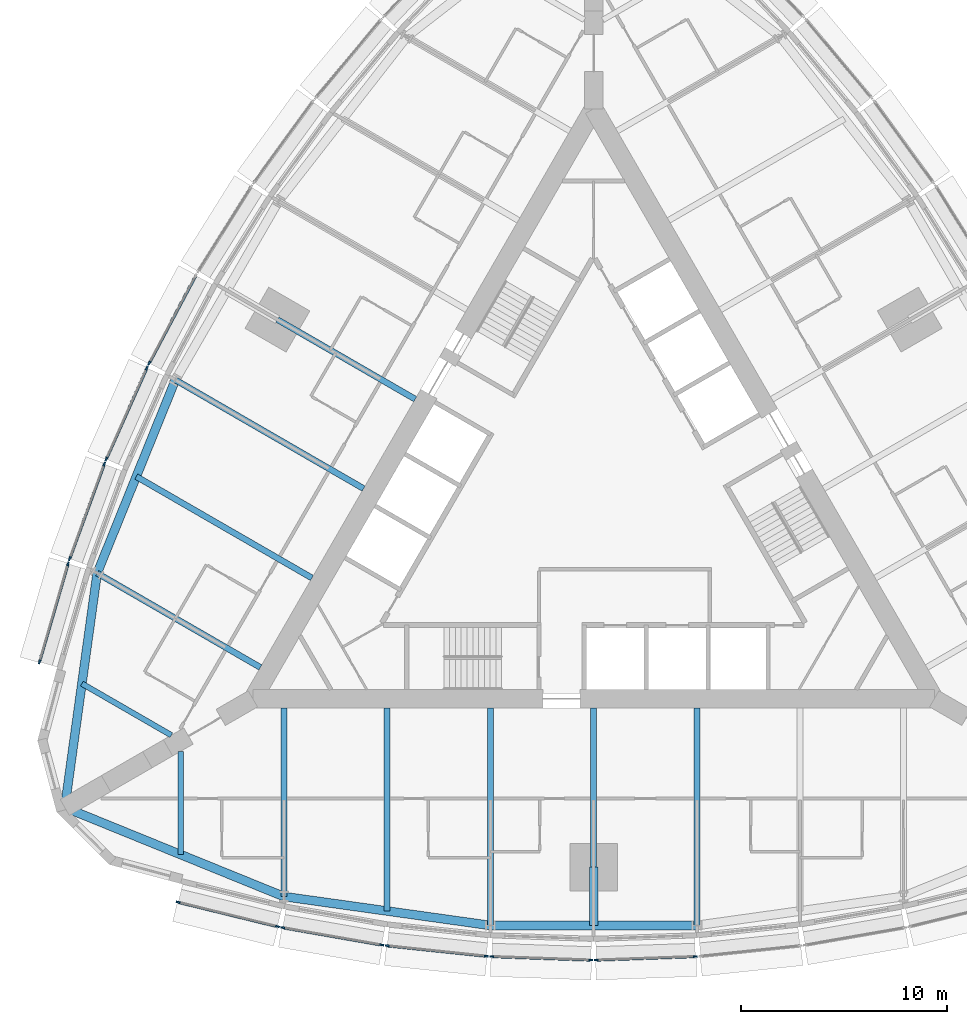
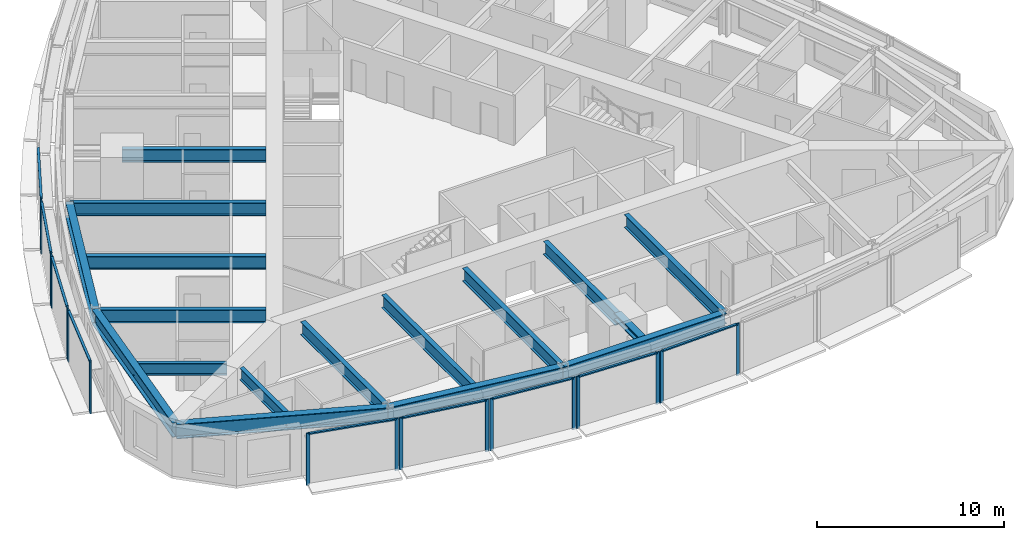
# One storey, part 2 of 14: 26 members, 17 beams, 9 elements without a shape of their own.
"""IFC4 building model written with IfcOpenShell, lengths in metres."""

from ifc_helpers import new_model, si_unit, direction, frame, origin, origin_2d, place, context, subcontext, project, spatial, rectangle, i_section, extrude, material, material_profile, profile_set, type_object, element, aggregate, save


model = new_model("IFC4")

# Units and contexts
model_context = context("Model", 3, precision=1e-05, world=origin(), true_north=direction((0.0, 1.0)))
body_context = subcontext(model_context, "Body", "Model", "MODEL_VIEW")
ifc_project = project(units=[si_unit("LENGTHUNIT", "METRE"), si_unit("AREAUNIT", "SQUARE_METRE"), si_unit("VOLUMEUNIT", "CUBIC_METRE"), si_unit("PLANEANGLEUNIT", "RADIAN"), si_unit("MASSUNIT", "GRAM", prefix="KILO")], contexts=[model_context])

# Site, building, storey
site_placement = place(None, origin())
site = spatial("IfcSite", under=ifc_project, at=site_placement, CompositionType="ELEMENT")
building_placement = place(site_placement, origin())
building = spatial("IfcBuilding", under=site, at=building_placement, Name="Trikona Tower", CompositionType="ELEMENT")
storey_placement = place(building_placement, frame((0.0, 0.0, 124.89990234375)))
storey = spatial("IfcBuildingStorey", under=building, at=storey_placement, Name="L32", CompositionType="ELEMENT", Elevation=124.89990234375)

# Curtain wall, members
ifc_material_1 = material(Name="Aluminium curtain wall system", Category="aluminium")
curtain_wall_type = type_object("IfcCurtainWallType", Name="Curtain wall DS2", PredefinedType="NOTDEFINED", material=ifc_material_1)
curtain_wall_1_placement = place(storey_placement, origin())
curtain_wall_1 = element("IfcCurtainWall", 1, at=curtain_wall_1_placement, inside=storey, type_object=curtain_wall_type, Name="Curtain wall DS2 L32", PredefinedType="NOTDEFINED")
ifc_material_2 = material(Name="Aluminium mullion, pale anodised", Category="aluminium")
ifc_material_profile_1 = material_profile(ifc_material_2, rectangle(XDim=0.080078125, YDim=0.199951171875, at=origin_2d()), Name="MUL-DS2")
ifc_profile_set_1 = profile_set([ifc_material_profile_1], Name="Aluminium mullion, pale anodised")
member_type_1 = type_object("IfcMemberType", Name="Mullion DS2 80x200", PredefinedType="MULLION", material=ifc_profile_set_1)
member_1_placement = place(storey_placement, frame((-20.116943359375, -19.373046875, 0.0), z_axis=(0.0, 0.0, 1.0), x_axis=(0.237970204243, 0.971272455026, 0.0)))
member_1 = element("IfcMember", 2, at=member_1_placement, type_object=member_type_1, Name="CW-DS2 mullion 1", PredefinedType="MULLION", context=body_context, shape_type="SweptSolid", body=[
    extrude(rectangle(XDim=0.080078125, YDim=0.199951171875, at=origin_2d()), origin(), (0.0, 0.0, 1.0), 3.400146484375),
])
member_2_placement = place(storey_placement, frame((-15.311279296875, -20.550537109375, 0.0), z_axis=(0.0, 0.0, 1.0), x_axis=(0.237970204243, 0.971272455026, 0.0)))
member_2 = element("IfcMember", 3, at=member_2_placement, type_object=member_type_1, Name="CW-DS2 mullion 2", PredefinedType="MULLION", context=body_context, shape_type="SweptSolid", body=[
    extrude(rectangle(XDim=0.080078125, YDim=0.199951171875, at=origin_2d()), origin(), (0.0, 0.0, 1.0), 3.400146484375),
])

curtain_wall_2_placement = place(storey_placement, origin())
curtain_wall_2 = element("IfcCurtainWall", 4, at=curtain_wall_2_placement, inside=storey, type_object=curtain_wall_type, Name="Curtain wall DS2 L32", PredefinedType="NOTDEFINED")
member_3_placement = place(storey_placement, frame((-15.056640625, -20.60400390625, 0.0), z_axis=(0.0, 0.0, 1.0), x_axis=(0.17237739505, 0.985030981074, 0.0)))
member_3 = element("IfcMember", 5, at=member_3_placement, type_object=member_type_1, Name="CW-DS2 mullion 1", PredefinedType="MULLION", context=body_context, shape_type="SweptSolid", body=[
    extrude(rectangle(XDim=0.080078125, YDim=0.199951171875, at=origin_2d()), origin(), (0.0, 0.0, 1.0), 3.400146484375),
])
member_4_placement = place(storey_placement, frame((-10.253662109375, -21.444580078125, 0.0), z_axis=(0.0, 0.0, 1.0), x_axis=(0.17237739505, 0.985030981074, 0.0)))
member_4 = element("IfcMember", 6, at=member_4_placement, type_object=member_type_1, Name="CW-DS2 mullion 2", PredefinedType="MULLION", context=body_context, shape_type="SweptSolid", body=[
    extrude(rectangle(XDim=0.080078125, YDim=0.199951171875, at=origin_2d()), origin(), (0.0, 0.0, 1.0), 3.400146484375),
])

curtain_wall_3_placement = place(storey_placement, origin())
curtain_wall_3 = element("IfcCurtainWall", 7, at=curtain_wall_3_placement, inside=storey, type_object=curtain_wall_type, Name="Curtain wall DS2 L32", PredefinedType="NOTDEFINED")
member_5_placement = place(storey_placement, frame((-9.99462890625, -21.480712890625, 0.0), z_axis=(0.0, 0.0, 1.0), x_axis=(0.104433387357, 0.994531883654, 0.0)))
member_5 = element("IfcMember", 8, at=member_5_placement, type_object=member_type_1, Name="CW-DS2 mullion 1", PredefinedType="MULLION", context=body_context, shape_type="SweptSolid", body=[
    extrude(rectangle(XDim=0.080078125, YDim=0.199951171875, at=origin_2d()), origin(), (0.0, 0.0, 1.0), 3.400146484375),
])
member_6_placement = place(storey_placement, frame((-5.193359375, -21.98486328125, 0.0), z_axis=(0.0, 0.0, 1.0), x_axis=(0.104433387357, 0.994531883654, 0.0)))
member_6 = element("IfcMember", 9, at=member_6_placement, type_object=member_type_1, Name="CW-DS2 mullion 2", PredefinedType="MULLION", context=body_context, shape_type="SweptSolid", body=[
    extrude(rectangle(XDim=0.080078125, YDim=0.199951171875, at=origin_2d()), origin(), (0.0, 0.0, 1.0), 3.400146484375),
])

curtain_wall_4_placement = place(storey_placement, origin())
curtain_wall_4 = element("IfcCurtainWall", 10, at=curtain_wall_4_placement, inside=storey, type_object=curtain_wall_type, Name="Curtain wall DS2 L32", PredefinedType="NOTDEFINED")
member_7_placement = place(storey_placement, frame((-4.931640625, -22.003173828125, 0.0), z_axis=(0.0, 0.0, 1.0), x_axis=(0.034998320052, 0.99938737114, 0.0)))
member_7 = element("IfcMember", 11, at=member_7_placement, type_object=member_type_1, Name="CW-DS2 mullion 1", PredefinedType="MULLION", context=body_context, shape_type="SweptSolid", body=[
    extrude(rectangle(XDim=0.080078125, YDim=0.199951171875, at=origin_2d()), origin(), (0.0, 0.0, 1.0), 3.400146484375),
])
member_8_placement = place(storey_placement, frame((-0.13134765625, -22.171142578125, 0.0), z_axis=(0.0, 0.0, 1.0), x_axis=(0.034998320052, 0.99938737114, 0.0)))
member_8 = element("IfcMember", 12, at=member_8_placement, type_object=member_type_1, Name="CW-DS2 mullion 2", PredefinedType="MULLION", context=body_context, shape_type="SweptSolid", body=[
    extrude(rectangle(XDim=0.080078125, YDim=0.199951171875, at=origin_2d()), origin(), (0.0, 0.0, 1.0), 3.400146484375),
])

curtain_wall_5_placement = place(storey_placement, origin())
curtain_wall_5 = element("IfcCurtainWall", 13, at=curtain_wall_5_placement, inside=storey, type_object=curtain_wall_type, Name="Curtain wall DS2 L32", PredefinedType="NOTDEFINED")
member_9_placement = place(storey_placement, frame((0.13134765625, -22.171142578125, 0.0), z_axis=(0.0, 0.0, 1.0), x_axis=(-0.034998320052, 0.99938737114, 0.0)))
member_9 = element("IfcMember", 14, at=member_9_placement, type_object=member_type_1, Name="CW-DS2 mullion 1", PredefinedType="MULLION", context=body_context, shape_type="SweptSolid", body=[
    extrude(rectangle(XDim=0.080078125, YDim=0.199951171875, at=origin_2d()), origin(), (0.0, 0.0, 1.0), 3.400146484375),
])
member_10_placement = place(storey_placement, frame((4.931640625, -22.003173828125, 0.0), z_axis=(0.0, 0.0, 1.0), x_axis=(-0.034998320052, 0.99938737114, 0.0)))
member_10 = element("IfcMember", 15, at=member_10_placement, type_object=member_type_1, Name="CW-DS2 mullion 2", PredefinedType="MULLION", context=body_context, shape_type="SweptSolid", body=[
    extrude(rectangle(XDim=0.080078125, YDim=0.199951171875, at=origin_2d()), origin(), (0.0, 0.0, 1.0), 3.400146484375),
])

# Curtain wall, member
curtain_wall_6_placement = place(storey_placement, origin())
curtain_wall_6 = element("IfcCurtainWall", 16, at=curtain_wall_6_placement, inside=storey, type_object=curtain_wall_type, Name="Curtain wall DS2 L32", PredefinedType="NOTDEFINED")
member_11_placement = place(storey_placement, frame((-21.52099609375, 6.730712890625, 0.0), z_axis=(0.0, 0.0, 1.0), x_axis=(0.882996107343, -0.469380308937, 0.0)))
member_11 = element("IfcMember", 17, at=member_11_placement, type_object=member_type_1, Name="CW-DS2 mullion 2", PredefinedType="MULLION", context=body_context, shape_type="SweptSolid", body=[
    extrude(rectangle(XDim=0.080078125, YDim=0.199951171875, at=origin_2d()), origin(), (0.0, 0.0, 1.0), 3.400146484375),
])

# Curtain wall, members
curtain_wall_7_placement = place(storey_placement, origin())
curtain_wall_7 = element("IfcCurtainWall", 18, at=curtain_wall_7_placement, inside=storey, type_object=curtain_wall_type, Name="Curtain wall DS2 L32", PredefinedType="NOTDEFINED")
member_12_placement = place(storey_placement, frame((-21.63623046875, 6.494873046875, 0.0), z_axis=(0.0, 0.0, 1.0), x_axis=(0.913501208767, -0.406836013132, 0.0)))
member_12 = element("IfcMember", 19, at=member_12_placement, type_object=member_type_1, Name="CW-DS2 mullion 1", PredefinedType="MULLION", context=body_context, shape_type="SweptSolid", body=[
    extrude(rectangle(XDim=0.080078125, YDim=0.199951171875, at=origin_2d()), origin(), (0.0, 0.0, 1.0), 3.400146484375),
])
member_13_placement = place(storey_placement, frame((-23.60009765625, 2.0849609375, 0.0), z_axis=(0.0, 0.0, 1.0), x_axis=(0.913501208767, -0.406836013132, 0.0)))
member_13 = element("IfcMember", 20, at=member_13_placement, type_object=member_type_1, Name="CW-DS2 mullion 2", PredefinedType="MULLION", context=body_context, shape_type="SweptSolid", body=[
    extrude(rectangle(XDim=0.080078125, YDim=0.199951171875, at=origin_2d()), origin(), (0.0, 0.0, 1.0), 3.400146484375),
])

curtain_wall_8_placement = place(storey_placement, origin())
curtain_wall_8 = element("IfcCurtainWall", 21, at=curtain_wall_8_placement, inside=storey, type_object=curtain_wall_type, Name="Curtain wall DS2 L32", PredefinedType="NOTDEFINED")
member_14_placement = place(storey_placement, frame((-23.6982421875, 1.84228515625, 0.0), z_axis=(0.0, 0.0, 1.0), x_axis=(0.939253790978, -0.343223420143, 0.0)))
member_14 = element("IfcMember", 22, at=member_14_placement, type_object=member_type_1, Name="CW-DS2 mullion 1", PredefinedType="MULLION", context=body_context, shape_type="SweptSolid", body=[
    extrude(rectangle(XDim=0.080078125, YDim=0.199951171875, at=origin_2d()), origin(), (0.0, 0.0, 1.0), 3.400146484375),
])
member_15_placement = place(storey_placement, frame((-25.371826171875, -2.737548828125, 0.0), z_axis=(0.0, 0.0, 1.0), x_axis=(0.939253790978, -0.343223420143, 0.0)))
member_15 = element("IfcMember", 23, at=member_15_placement, type_object=member_type_1, Name="CW-DS2 mullion 2", PredefinedType="MULLION", context=body_context, shape_type="SweptSolid", body=[
    extrude(rectangle(XDim=0.080078125, YDim=0.199951171875, at=origin_2d()), origin(), (0.0, 0.0, 1.0), 3.400146484375),
])

curtain_wall_9_placement = place(storey_placement, origin())
curtain_wall_9 = element("IfcCurtainWall", 24, at=curtain_wall_9_placement, inside=storey, type_object=curtain_wall_type, Name="Curtain wall DS2 L32", PredefinedType="NOTDEFINED")
member_16_placement = place(storey_placement, frame((-25.452880859375, -2.984619140625, 0.0), z_axis=(0.0, 0.0, 1.0), x_axis=(0.96013310152, -0.279543247757, 0.0)))
member_16 = element("IfcMember", 25, at=member_16_placement, type_object=member_type_1, Name="CW-DS2 mullion 1", PredefinedType="MULLION", context=body_context, shape_type="SweptSolid", body=[
    extrude(rectangle(XDim=0.080078125, YDim=0.199951171875, at=origin_2d()), origin(), (0.0, 0.0, 1.0), 3.400146484375),
])
member_17_placement = place(storey_placement, frame((-26.836181640625, -7.7353515625, 0.0), z_axis=(0.0, 0.0, 1.0), x_axis=(0.96013310152, -0.279543247757, 0.0)))
member_17 = element("IfcMember", 26, at=member_17_placement, type_object=member_type_1, Name="CW-DS2 mullion 2", PredefinedType="MULLION", context=body_context, shape_type="SweptSolid", body=[
    extrude(rectangle(XDim=0.080078125, YDim=0.199951171875, at=origin_2d()), origin(), (0.0, 0.0, 1.0), 3.400146484375),
])

# Beams
ifc_material_3 = material(Name="Steel ASTM A992 Grade 50", Category="steel")
ifc_material_profile_2 = material_profile(ifc_material_3, i_section(OverallWidth=0.419189453125, OverallDepth=0.45458984375, WebThickness=0.042236328125, FlangeThickness=0.067626953125, at=origin_2d()), Name="W14X370")
ifc_profile_set_2 = profile_set([ifc_material_profile_2], Name="Steel ASTM A992 Grade 50")
beam_type_1 = type_object("IfcBeamType", Name="Steel beam W14x370 (apex bracket)", PredefinedType="BEAM", material=ifc_profile_set_2)
beam_1_placement = place(storey_placement, frame((0.0, -17.680419921875, 3.0078125), z_axis=(0.0, -1.0, 0.0), x_axis=(1.0, 0.0, 0.0)))
element("IfcBeam", 27, at=beam_1_placement, inside=storey, type_object=beam_type_1, Name="Cantilever bracket L33 F1", PredefinedType="BEAM", context=body_context, shape_type="SweptSolid", body=[
    extrude(i_section(OverallWidth=0.419189453125, OverallDepth=0.45458984375, WebThickness=0.042236328125, FlangeThickness=0.067626953125, at=origin_2d()), origin(), (0.0, 0.0, 1.0), 2.81982421875),
])
ifc_material_4 = material(Name="Steel ASTM A992 Grade 50", Category="steel")
ifc_material_profile_3 = material_profile(ifc_material_4, i_section(OverallWidth=0.2666015625, OverallDepth=0.76953125, WebThickness=0.015625, FlangeThickness=0.025390625, at=origin_2d()), Name="W30X132")
ifc_profile_set_3 = profile_set([ifc_material_profile_3], Name="Steel ASTM A992 Grade 50")
beam_type_2 = type_object("IfcBeamType", Name="Steel beam W30x132 (wedge)", PredefinedType="BEAM", material=ifc_profile_set_3)
beam_2_placement = place(storey_placement, frame((-20.0, -12.066650390625, 2.850341796875), z_axis=(0.0, -1.0, 0.0), x_axis=(1.0, 0.0, 0.0)))
element("IfcBeam", 28, at=beam_2_placement, inside=storey, type_object=beam_type_2, Name="Floor beam L33 F1 u-20", PredefinedType="BEAM", context=body_context, shape_type="SweptSolid", body=[
    extrude(i_section(OverallWidth=0.2666015625, OverallDepth=0.76953125, WebThickness=0.015625, FlangeThickness=0.025390625, at=origin_2d()), origin(), (0.0, 0.0, 1.0), 5.00048828125),
])
beam_3_placement = place(storey_placement, frame((-20.449951171875, -11.287109375, 2.850341796875), z_axis=(-0.866038434829, 0.49997742889, 0.0), x_axis=(-0.49997742889, -0.866038434829, 0.0)))
element("IfcBeam", 29, at=beam_3_placement, inside=storey, type_object=beam_type_2, Name="Floor beam L33 F3 u20", PredefinedType="BEAM", context=body_context, shape_type="SweptSolid", body=[
    extrude(i_section(OverallWidth=0.2666015625, OverallDepth=0.76953125, WebThickness=0.015625, FlangeThickness=0.025390625, at=origin_2d()), origin(), (0.0, 0.0, 1.0), 5.000732421875),
])
ifc_material_5 = material(Name="Steel ASTM A992 Grade 50", Category="steel")
ifc_material_profile_4 = material_profile(ifc_material_5, i_section(OverallWidth=0.2919921875, OverallDepth=0.845703125, WebThickness=0.015380859375, FlangeThickness=0.0244140625, at=origin_2d()), Name="W33X141")
ifc_profile_set_4 = profile_set([ifc_material_profile_4], Name="Steel ASTM A992 Grade 50")
beam_type_3 = type_object("IfcBeamType", Name="Steel beam W33x141 (radial typ)", PredefinedType="BEAM", material=ifc_profile_set_4)
beam_4_placement = place(storey_placement, frame((-15.0, -9.976318359375, 2.812255859375), z_axis=(0.0, -1.0, 0.0), x_axis=(1.0, 0.0, 0.0)))
element("IfcBeam", 30, at=beam_4_placement, inside=storey, type_object=beam_type_3, Name="Floor beam L33 F1 u-15", PredefinedType="BEAM", context=body_context, shape_type="SweptSolid", body=[
    extrude(i_section(OverallWidth=0.2919921875, OverallDepth=0.845703125, WebThickness=0.015380859375, FlangeThickness=0.0244140625, at=origin_2d()), origin(), (0.0, 0.0, 1.0), 9.123779296875),
])
beam_5_placement = place(storey_placement, frame((-10.0, -9.976318359375, 2.812255859375), z_axis=(0.0, -1.0, 0.0), x_axis=(1.0, 0.0, 0.0)))
element("IfcBeam", 31, at=beam_5_placement, inside=storey, type_object=beam_type_3, Name="Floor beam L33 F1 u-10", PredefinedType="BEAM", context=body_context, shape_type="SweptSolid", body=[
    extrude(i_section(OverallWidth=0.2919921875, OverallDepth=0.845703125, WebThickness=0.015380859375, FlangeThickness=0.0244140625, at=origin_2d()), origin(), (0.0, 0.0, 1.0), 9.823974609375),
])
beam_6_placement = place(storey_placement, frame((-5.0, -9.976318359375, 2.812255859375), z_axis=(0.0, -1.0, 0.0), x_axis=(1.0, 0.0, 0.0)))
element("IfcBeam", 32, at=beam_6_placement, inside=storey, type_object=beam_type_3, Name="Floor beam L33 F1 u-5", PredefinedType="BEAM", context=body_context, shape_type="SweptSolid", body=[
    extrude(i_section(OverallWidth=0.2919921875, OverallDepth=0.845703125, WebThickness=0.015380859375, FlangeThickness=0.0244140625, at=origin_2d()), origin(), (0.0, 0.0, 1.0), 10.52392578125),
])
beam_7_placement = place(storey_placement, frame((0.0, -9.976318359375, 2.812255859375), z_axis=(0.0, -1.0, 0.0), x_axis=(1.0, 0.0, 0.0)))
element("IfcBeam", 33, at=beam_7_placement, inside=storey, type_object=beam_type_3, Name="Floor beam L33 F1 u0", PredefinedType="BEAM", context=body_context, shape_type="SweptSolid", body=[
    extrude(i_section(OverallWidth=0.2919921875, OverallDepth=0.845703125, WebThickness=0.015380859375, FlangeThickness=0.0244140625, at=origin_2d()), origin(), (0.0, 0.0, 1.0), 7.7041015625),
])
beam_8_placement = place(storey_placement, frame((5.0, -9.976318359375, 2.812255859375), z_axis=(0.0, -1.0, 0.0), x_axis=(1.0, 0.0, 0.0)))
element("IfcBeam", 34, at=beam_8_placement, inside=storey, type_object=beam_type_3, Name="Floor beam L33 F1 u5", PredefinedType="BEAM", context=body_context, shape_type="SweptSolid", body=[
    extrude(i_section(OverallWidth=0.2919921875, OverallDepth=0.845703125, WebThickness=0.015380859375, FlangeThickness=0.0244140625, at=origin_2d()), origin(), (0.0, 0.0, 1.0), 10.52392578125),
])
beam_9_placement = place(storey_placement, frame((-8.6396484375, 4.988037109375, 2.812255859375), z_axis=(-0.866017246294, 0.500014128921, 0.0), x_axis=(-0.500014128921, -0.866017246294, 0.0)))
element("IfcBeam", 35, at=beam_9_placement, inside=storey, type_object=beam_type_3, Name="Floor beam L33 F3 u0", PredefinedType="BEAM", context=body_context, shape_type="SweptSolid", body=[
    extrude(i_section(OverallWidth=0.2919921875, OverallDepth=0.845703125, WebThickness=0.015380859375, FlangeThickness=0.0244140625, at=origin_2d()), origin(), (0.0, 0.0, 1.0), 7.704345703125),
])
beam_10_placement = place(storey_placement, frame((-11.1396484375, 0.657958984375, 2.812255859375), z_axis=(-0.866026035623, 0.499998905622, 0.0), x_axis=(-0.499998905622, -0.866026035623, 0.0)))
element("IfcBeam", 36, at=beam_10_placement, inside=storey, type_object=beam_type_3, Name="Floor beam L33 F3 u5", PredefinedType="BEAM", context=body_context, shape_type="SweptSolid", body=[
    extrude(i_section(OverallWidth=0.2919921875, OverallDepth=0.845703125, WebThickness=0.015380859375, FlangeThickness=0.0244140625, at=origin_2d()), origin(), (0.0, 0.0, 1.0), 10.52392578125),
])
beam_11_placement = place(storey_placement, frame((-13.6396484375, -3.672119140625, 2.812255859375), z_axis=(-0.866020046725, 0.500009278584, 0.0), x_axis=(-0.500009278584, -0.866020046725, 0.0)))
element("IfcBeam", 37, at=beam_11_placement, inside=storey, type_object=beam_type_3, Name="Floor beam L33 F3 u10", PredefinedType="BEAM", context=body_context, shape_type="SweptSolid", body=[
    extrude(i_section(OverallWidth=0.2919921875, OverallDepth=0.845703125, WebThickness=0.015380859375, FlangeThickness=0.0244140625, at=origin_2d()), origin(), (0.0, 0.0, 1.0), 9.823974609375),
])
beam_12_placement = place(storey_placement, frame((-16.1396484375, -8.002197265625, 2.812255859375), z_axis=(-0.866024725532, 0.500001174766, 0.0), x_axis=(-0.500001174766, -0.866024725532, 0.0)))
element("IfcBeam", 38, at=beam_12_placement, inside=storey, type_object=beam_type_3, Name="Floor beam L33 F3 u15", PredefinedType="BEAM", context=body_context, shape_type="SweptSolid", body=[
    extrude(i_section(OverallWidth=0.2919921875, OverallDepth=0.845703125, WebThickness=0.015380859375, FlangeThickness=0.0244140625, at=origin_2d()), origin(), (0.0, 0.0, 1.0), 9.1240234375),
])
ifc_material_6 = material(Name="Steel ASTM A992 Grade 50", Category="steel")
ifc_material_profile_5 = material_profile(ifc_material_6, i_section(OverallWidth=0.424072265625, OverallDepth=0.947509765625, WebThickness=0.02392578125, FlangeThickness=0.042724609375, at=origin_2d()), Name="W36X302")
ifc_profile_set_5 = profile_set([ifc_material_profile_5], Name="Steel ASTM A992 Grade 50")
beam_type_4 = type_object("IfcBeamType", Name="Steel beam W36x302 (spandrel)", PredefinedType="SPANDREL", material=ifc_profile_set_5)
beam_13_placement = place(storey_placement, frame((-25.6103515625, -14.7861328125, 2.761474609375), z_axis=(0.926359695662, -0.376640032728, 0.0), x_axis=(0.376640032728, 0.926359695662, 0.0)))
element("IfcBeam", 39, at=beam_13_placement, inside=storey, type_object=beam_type_4, Name="Spandrel beam L33 F1-1", PredefinedType="SPANDREL", context=body_context, shape_type="SweptSolid", body=[
    extrude(i_section(OverallWidth=0.424072265625, OverallDepth=0.947509765625, WebThickness=0.02392578125, FlangeThickness=0.042724609375, at=origin_2d()), origin(), (0.0, 0.0, 1.0), 11.453857421875),
])
beam_14_placement = place(storey_placement, frame((-15.0, -19.10009765625, 2.761474609375), z_axis=(0.990339754644, -0.13866207258, 0.0), x_axis=(0.13866207258, 0.990339754644, 0.0)))
element("IfcBeam", 40, at=beam_14_placement, inside=storey, type_object=beam_type_4, Name="Spandrel beam L33 F1-2", PredefinedType="SPANDREL", context=body_context, shape_type="SweptSolid", body=[
    extrude(i_section(OverallWidth=0.424072265625, OverallDepth=0.947509765625, WebThickness=0.02392578125, FlangeThickness=0.042724609375, at=origin_2d()), origin(), (0.0, 0.0, 1.0), 10.09765625),
])
beam_15_placement = place(storey_placement, frame((-5.0, -20.500244140625, 2.761474609375), z_axis=(1.0, 0.0, 0.0), x_axis=(0.0, 1.0, 0.0)))
element("IfcBeam", 41, at=beam_15_placement, inside=storey, type_object=beam_type_4, Name="Spandrel beam L33 F1-3", PredefinedType="SPANDREL", context=body_context, shape_type="SweptSolid", body=[
    extrude(i_section(OverallWidth=0.424072265625, OverallDepth=0.947509765625, WebThickness=0.02392578125, FlangeThickness=0.042724609375, at=origin_2d()), origin(), (0.0, 0.0, 1.0), 10.0),
])
beam_16_placement = place(storey_placement, frame((-20.253662109375, 5.919921875, 2.761474609375), z_axis=(-0.375106193787, -0.926981846307, 0.0), x_axis=(0.926981846307, -0.375106193787, 0.0)))
element("IfcBeam", 42, at=beam_16_placement, inside=storey, type_object=beam_type_4, Name="Spandrel beam L33 F3-4", PredefinedType="SPANDREL", context=body_context, shape_type="SweptSolid", body=[
    extrude(i_section(OverallWidth=0.424072265625, OverallDepth=0.947509765625, WebThickness=0.02392578125, FlangeThickness=0.042724609375, at=origin_2d()), origin(), (0.0, 0.0, 1.0), 10.097412109375),
])
beam_17_placement = place(storey_placement, frame((-24.041259765625, -3.440185546875, 2.761474609375), z_axis=(-0.136991535842, -0.990572218017, 0.0), x_axis=(0.990572218017, -0.136991535842, 0.0)))
element("IfcBeam", 43, at=beam_17_placement, inside=storey, type_object=beam_type_4, Name="Spandrel beam L33 F3-5", PredefinedType="SPANDREL", context=body_context, shape_type="SweptSolid", body=[
    extrude(i_section(OverallWidth=0.424072265625, OverallDepth=0.947509765625, WebThickness=0.02392578125, FlangeThickness=0.042724609375, at=origin_2d()), origin(), (0.0, 0.0, 1.0), 11.453857421875),
])

# Member
ifc_material_7 = material(Name="Aluminium transom, pale anodised", Category="aluminium")
ifc_material_profile_6 = material_profile(ifc_material_7, rectangle(XDim=0.139892578125, YDim=0.080078125, at=origin_2d()), Name="TRN-DS2")
ifc_profile_set_6 = profile_set([ifc_material_profile_6], Name="Aluminium transom, pale anodised")
member_type_2 = type_object("IfcMemberType", Name="Transom DS2 80x140", PredefinedType="USERDEFINED", material=ifc_profile_set_6)
member_18_placement = place(storey_placement, frame((-20.078125, -19.382568359375, 3.360107421875), z_axis=(0.971270583303, -0.237977843528, 0.0), x_axis=(0.237977843528, 0.971270583303, 0.0)))
member_18 = element("IfcMember", 44, at=member_18_placement, type_object=member_type_2, Name="CW-DS2 transom 1.1", ObjectType="TRANSOM", PredefinedType="USERDEFINED", context=body_context, shape_type="SweptSolid", body=[
    extrude(rectangle(XDim=0.139892578125, YDim=0.080078125, at=origin_2d()), origin(), (0.0, 0.0, 1.0), 4.867919921875),
])

aggregate(curtain_wall_1, [member_1, member_2, member_18])

member_19_placement = place(storey_placement, frame((-15.01708984375, -20.61083984375, 3.360107421875), z_axis=(0.98503262804, -0.172367983387, 0.0), x_axis=(0.172367983387, 0.98503262804, 0.0)))
member_19 = element("IfcMember", 45, at=member_19_placement, type_object=member_type_2, Name="CW-DS2 transom 1.1", ObjectType="TRANSOM", PredefinedType="USERDEFINED", context=body_context, shape_type="SweptSolid", body=[
    extrude(rectangle(XDim=0.139892578125, YDim=0.080078125, at=origin_2d()), origin(), (0.0, 0.0, 1.0), 4.7958984375),
])

aggregate(curtain_wall_2, [member_3, member_4, member_19])

member_20_placement = place(storey_placement, frame((-9.954833984375, -21.48486328125, 3.360107421875), z_axis=(0.99453106441, -0.104441188822, 0.0), x_axis=(0.104441188822, 0.99453106441, 0.0)))
member_20 = element("IfcMember", 46, at=member_20_placement, type_object=member_type_2, Name="CW-DS2 transom 1.1", ObjectType="TRANSOM", PredefinedType="USERDEFINED", context=body_context, shape_type="SweptSolid", body=[
    extrude(rectangle(XDim=0.139892578125, YDim=0.080078125, at=origin_2d()), origin(), (0.0, 0.0, 1.0), 4.74755859375),
])

aggregate(curtain_wall_3, [member_5, member_6, member_20])

member_21_placement = place(storey_placement, frame((-4.8916015625, -22.00439453125, 3.360107421875), z_axis=(0.999385692759, -0.035046213908, 0.0), x_axis=(0.035046213908, 0.999385692759, 0.0)))
member_21 = element("IfcMember", 47, at=member_21_placement, type_object=member_type_2, Name="CW-DS2 transom 1.1", ObjectType="TRANSOM", PredefinedType="USERDEFINED", context=body_context, shape_type="SweptSolid", body=[
    extrude(rectangle(XDim=0.139892578125, YDim=0.080078125, at=origin_2d()), origin(), (0.0, 0.0, 1.0), 4.72314453125),
])

aggregate(curtain_wall_4, [member_7, member_8, member_21])

member_22_placement = place(storey_placement, frame((0.17138671875, -22.169921875, 3.360107421875), z_axis=(0.999385692759, 0.035046213908, 0.0), x_axis=(-0.035046213908, 0.999385692759, 0.0)))
member_22 = element("IfcMember", 48, at=member_22_placement, type_object=member_type_2, Name="CW-DS2 transom 1.1", ObjectType="TRANSOM", PredefinedType="USERDEFINED", context=body_context, shape_type="SweptSolid", body=[
    extrude(rectangle(XDim=0.139892578125, YDim=0.080078125, at=origin_2d()), origin(), (0.0, 0.0, 1.0), 4.72314453125),
])

aggregate(curtain_wall_5, [member_9, member_10, member_22])

member_23_placement = place(storey_placement, frame((-19.285400390625, 10.9365234375, 3.360107421875), z_axis=(-0.469364343408, -0.883004594063, 0.0), x_axis=(0.883004594063, -0.469364343408, 0.0)))
member_23 = element("IfcMember", 49, at=member_23_placement, type_object=member_type_2, Name="CW-DS2 transom 1.1", ObjectType="TRANSOM", PredefinedType="USERDEFINED", context=body_context, shape_type="SweptSolid", body=[
    extrude(rectangle(XDim=0.139892578125, YDim=0.080078125, at=origin_2d()), origin(), (0.0, 0.0, 1.0), 4.722900390625),
])

aggregate(curtain_wall_6, [member_11, member_23])

member_24_placement = place(storey_placement, frame((-21.65234375, 6.458251953125, 3.360107421875), z_axis=(-0.406839769607, -0.913499535778, 0.0), x_axis=(0.913499535778, -0.406839769607, 0.0)))
member_24 = element("IfcMember", 50, at=member_24_placement, type_object=member_type_2, Name="CW-DS2 transom 1.1", ObjectType="TRANSOM", PredefinedType="USERDEFINED", context=body_context, shape_type="SweptSolid", body=[
    extrude(rectangle(XDim=0.139892578125, YDim=0.080078125, at=origin_2d()), origin(), (0.0, 0.0, 1.0), 4.747314453125),
])

aggregate(curtain_wall_7, [member_12, member_13, member_24])

member_25_placement = place(storey_placement, frame((-23.712158203125, 1.8046875, 3.360107421875), z_axis=(-0.343205907674, -0.939260190223, 0.0), x_axis=(0.939260190223, -0.343205907674, 0.0)))
member_25 = element("IfcMember", 51, at=member_25_placement, type_object=member_type_2, Name="CW-DS2 transom 1.1", ObjectType="TRANSOM", PredefinedType="USERDEFINED", context=body_context, shape_type="SweptSolid", body=[
    extrude(rectangle(XDim=0.139892578125, YDim=0.080078125, at=origin_2d()), origin(), (0.0, 0.0, 1.0), 4.7958984375),
])

aggregate(curtain_wall_8, [member_14, member_15, member_25])

member_26_placement = place(storey_placement, frame((-25.464111328125, -3.023193359375, 3.360107421875), z_axis=(-0.279566628153, -0.960126293996, 0.0), x_axis=(0.960126293996, -0.279566628153, 0.0)))
member_26 = element("IfcMember", 52, at=member_26_placement, type_object=member_type_2, Name="CW-DS2 transom 1.1", ObjectType="TRANSOM", PredefinedType="USERDEFINED", context=body_context, shape_type="SweptSolid", body=[
    extrude(rectangle(XDim=0.139892578125, YDim=0.080078125, at=origin_2d()), origin(), (0.0, 0.0, 1.0), 4.86767578125),
])

aggregate(curtain_wall_9, [member_16, member_17, member_26])

save(model, "model.ifc")
